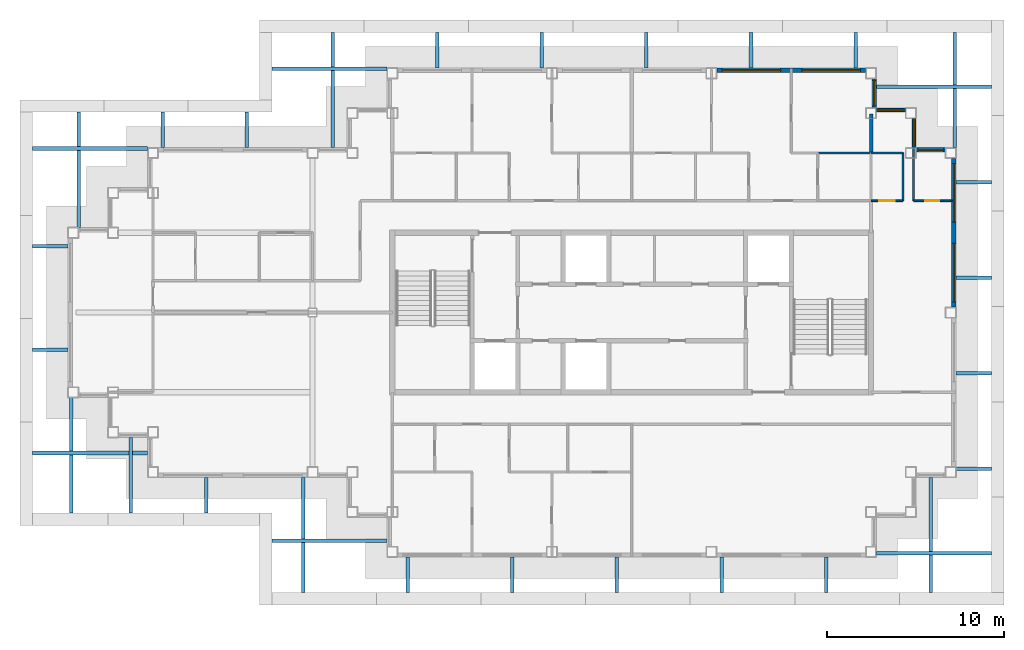
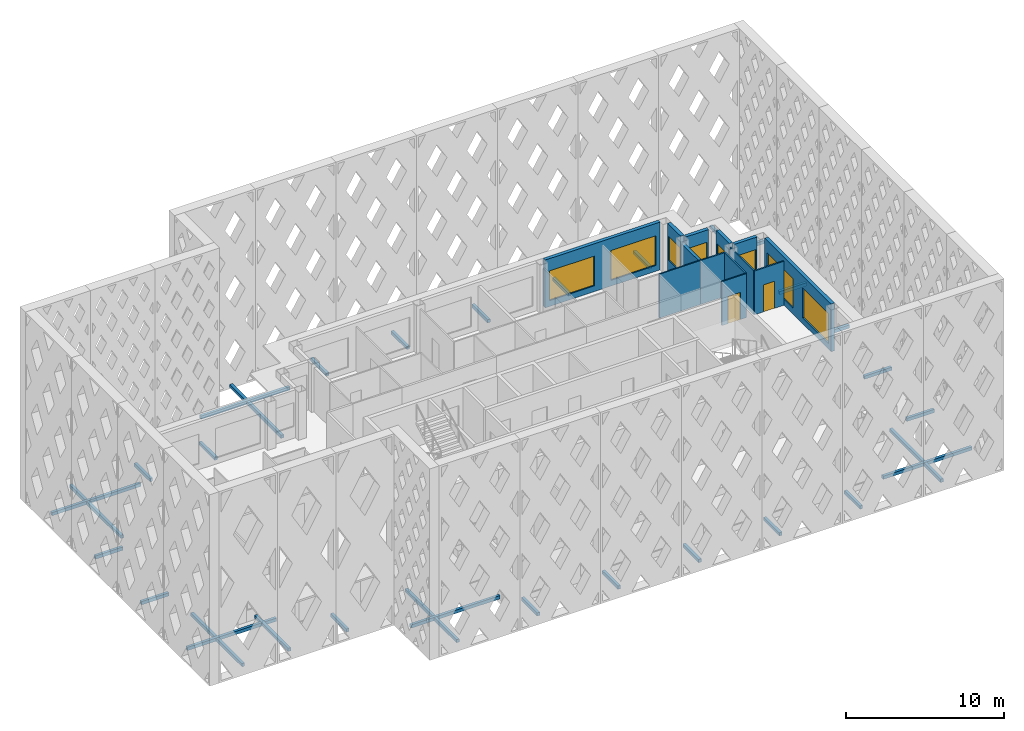
# One storey, part 6 of 15: 32 discrete accessories, 13 walls, 8 windows, 2 doors, 10 openings.
"""IFC4 building model written with IfcOpenShell, lengths in metres."""

from ifc_helpers import new_model, si_unit, direction, frame, frame_2d, origin, origin_2d, place, context, subcontext, project, spatial, rectangle, extrude, material, layer, layer_set, type_object, element, fill, save


model = new_model("IFC4")

# Units and contexts
model_context = context("Model", 3, precision=1e-05, world=origin(), true_north=direction((0.0, 1.0)))
body_context = subcontext(model_context, "Body", "Model", "MODEL_VIEW")
ifc_project = project(units=[si_unit("LENGTHUNIT", "METRE"), si_unit("AREAUNIT", "SQUARE_METRE"), si_unit("VOLUMEUNIT", "CUBIC_METRE"), si_unit("PLANEANGLEUNIT", "RADIAN"), si_unit("MASSUNIT", "GRAM", prefix="KILO")], contexts=[model_context])

# Site, building, storey
site_placement = place(None, origin())
site = spatial("IfcSite", under=ifc_project, at=site_placement, CompositionType="ELEMENT")
building_placement = place(site_placement, origin())
building = spatial("IfcBuilding", under=site, at=building_placement, Name="Caravel Reach Hotel and Residences", CompositionType="ELEMENT")
storey_placement = place(building_placement, frame((0.0, 0.0, 237.89990234375)))
storey = spatial("IfcBuildingStorey", under=building, at=storey_placement, Name="L60", CompositionType="ELEMENT", Elevation=237.89990234375)

# Wall, opening, door
ifc_material_1 = material(Name="Gypsum board on steel stud", Category="steel")
ifc_layer_1 = layer(ifc_material_1, 0.10009765625)
ifc_layer_set_1 = layer_set([ifc_layer_1], Name="Bathroom pod wall 100 mm")
wall_type_1 = type_object("IfcWallType", Name="Bathroom pod wall 100 mm", PredefinedType="PARTITIONING", material=ifc_layer_set_1)
wall_1_placement = place(storey_placement, frame((47.39990234375, 33.300048828125, 0.0), z_axis=(0.0, 0.0, 1.0), x_axis=(1.0, 0.0, 0.0)))
wall_1 = element("IfcWall", 1, at=wall_1_placement, inside=storey, type_object=wall_type_1, Name="L60 wall w061", PredefinedType="PARTITIONING", context=body_context, shape_type="SweptSolid", body=[
    extrude(rectangle(XDim=2.150146484375, YDim=0.10009765625, at=frame_2d((1.0751953125, 0.0))), origin(), (0.0, 0.0, 1.0), 3.400146484375),
])
opening_1_placement = place(wall_1_placement, frame((0.64990234375, 0.0, 0.0)))
opening_1 = element("IfcOpeningElement", 2, at=opening_1_placement, cuts=wall_1, Name="Opening D60-041", PredefinedType="OPENING", context=body_context, shape_type="SweptSolid", body=[
    extrude(rectangle(XDim=0.800048828125, YDim=2.10009765625, at=frame_2d((0.39990234375, 1.050048828125))), frame((0.0, 0.06005859375, 0.0), z_axis=(0.0, -1.0, 0.0), x_axis=(1.0, 0.0, 0.0)), (0.0, 0.0, 1.0), 0.1201171875),
])
ifc_material_2 = material(Name="Timber and steel door leaf", Category="steel")
door_type_1 = type_object("IfcDoorType", Name="Bathroom door 800 x 2100", OperationType="SINGLE_SWING_LEFT", PredefinedType="DOOR", material=ifc_material_2)
door_1_placement = place(opening_1_placement, origin())
door_1 = element("IfcDoor", 3, at=door_1_placement, inside=storey, type_object=door_type_1, Name="door D60-041", OperationType="SINGLE_SWING_LEFT", OverallHeight=2.10009765625, OverallWidth=0.800048828125, PredefinedType="DOOR", context=body_context, shape_type="SweptSolid", body=[
    extrude(rectangle(XDim=0.800048828125, YDim=2.10009765625, at=frame_2d((0.39990234375, 1.050048828125))), frame((0.0, 0.02490234375, 0.0), z_axis=(0.0, -1.0, 0.0), x_axis=(1.0, 0.0, 0.0)), (0.0, 0.0, 1.0), 0.050048828125),
])
fill(opening_1, door_1)

# Walls
for number, where, z_axis, x_axis, name in (
    (4, (42.0, 36.0, 0.0), (0.0, 0.0, 1.0), (1.0, 0.0, 0.0), "L60 wall w064"),
    (5, (47.39990234375, 33.300048828125, 0.0), (0.0, 0.0, 1.0), (0.0, 1.0, 0.0), "L60 wall w078"),
):
    element("IfcWall", number, at=place(storey_placement, frame(where, z_axis=z_axis, x_axis=x_axis)), inside=storey, type_object=wall_type_1, Name=name, PredefinedType="PARTITIONING", context=body_context, shape_type="SweptSolid", body=[
        extrude(rectangle(XDim=3.0, YDim=0.10009765625, at=frame_2d((1.5, 0.0))), origin(), (0.0, 0.0, 1.0), 3.400146484375),
    ])

# Wall, openings, windows
ifc_material_3 = material(Name="Insulated rainscreen wall, aluminium cladding", Category="aluminium")
ifc_layer_2 = layer(ifc_material_3, 0.25)
ifc_layer_set_2 = layer_set([ifc_layer_2], Name="EW1 Tower rainscreen wall")
wall_type_2 = type_object("IfcWallType", Name="EW1 Tower rainscreen wall", PredefinedType="SOLIDWALL", material=ifc_layer_set_2)
wall_2_placement = place(storey_placement, frame((49.675048828125, 27.300048828125, 0.0), z_axis=(0.0, 0.0, 1.0), x_axis=(0.0, 1.0, 0.0)))
wall_2 = element("IfcWall", 6, at=wall_2_placement, inside=storey, type_object=wall_type_2, Name="External wall L60 E9.2", PredefinedType="SOLIDWALL", context=body_context, shape_type="SweptSolid", body=[
    extrude(rectangle(XDim=8.39990234375, YDim=0.25, at=frame_2d((4.199951171875, 0.0))), origin(), (0.0, 0.0, 1.0), 3.7001953125),
])
opening_2_placement = place(wall_2_placement, frame((0.300048828125, 0.0, 0.449951171875)))
opening_2 = element("IfcOpeningElement", 7, at=opening_2_placement, cuts=wall_2, Name="Opening WN15", PredefinedType="OPENING", context=body_context, shape_type="SweptSolid", body=[
    extrude(rectangle(XDim=3.300048828125, YDim=2.300048828125, at=frame_2d((1.64990234375, 1.14990234375))), frame((0.0, 0.135009765625, 0.0), z_axis=(0.0, -1.0, 0.0), x_axis=(1.0, 0.0, 0.0)), (0.0, 0.0, 1.0), 0.27001953125),
])
opening_3_placement = place(wall_2_placement, frame((4.800048828125, 0.0, 0.449951171875)))
opening_3 = element("IfcOpeningElement", 8, at=opening_3_placement, cuts=wall_2, Name="Opening WN15", PredefinedType="OPENING", context=body_context, shape_type="SweptSolid", body=[
    extrude(rectangle(XDim=3.300048828125, YDim=2.300048828125, at=frame_2d((1.64990234375, 1.14990234375))), frame((0.0, 0.135009765625, 0.0), z_axis=(0.0, -1.0, 0.0), x_axis=(1.0, 0.0, 0.0)), (0.0, 0.0, 1.0), 0.27001953125),
])
ifc_material_4 = material(Name="Dark low-e glazing in black aluminium frame", Category="aluminium")
window_type_1 = type_object("IfcWindowType", Name="Residence living window 3300 x 2300", PartitioningType="SINGLE_PANEL", PredefinedType="WINDOW", material=ifc_material_4)
window_1_placement = place(opening_2_placement, origin())
window_1 = element("IfcWindow", 9, at=window_1_placement, inside=storey, type_object=window_type_1, Name="Window L60 E9.2.1", OverallHeight=2.300048828125, OverallWidth=3.300048828125, PartitioningType="SINGLE_PANEL", PredefinedType="WINDOW", context=body_context, shape_type="SweptSolid", body=[
    extrude(rectangle(XDim=3.300048828125, YDim=2.300048828125, at=frame_2d((1.64990234375, 1.14990234375))), frame((0.0, 0.030029296875, 0.0), z_axis=(0.0, -1.0, 0.0), x_axis=(1.0, 0.0, 0.0)), (0.0, 0.0, 1.0), 0.06005859375),
])
fill(opening_2, window_1)
window_2_placement = place(opening_3_placement, origin())
window_2 = element("IfcWindow", 10, at=window_2_placement, inside=storey, type_object=window_type_1, Name="Window L60 E9.2.2", OverallHeight=2.300048828125, OverallWidth=3.300048828125, PartitioningType="SINGLE_PANEL", PredefinedType="WINDOW", context=body_context, shape_type="SweptSolid", body=[
    extrude(rectangle(XDim=3.300048828125, YDim=2.300048828125, at=frame_2d((1.64990234375, 1.14990234375))), frame((0.0, 0.030029296875, 0.0), z_axis=(0.0, -1.0, 0.0), x_axis=(1.0, 0.0, 0.0)), (0.0, 0.0, 1.0), 0.06005859375),
])
fill(opening_3, window_2)

# Wall, opening, window
wall_3_placement = place(storey_placement, frame((49.199951171875, 36.175048828125, 0.0), z_axis=(0.0, 0.0, 1.0), x_axis=(-1.0, 0.0, 0.0)))
wall_3 = element("IfcWall", 11, at=wall_3_placement, inside=storey, type_object=wall_type_2, Name="External wall L60 N10.1", PredefinedType="SOLIDWALL", context=body_context, shape_type="SweptSolid", body=[
    extrude(rectangle(XDim=1.64990234375, YDim=0.25, at=frame_2d((0.824951171875, 0.0))), origin(), (0.0, 0.0, 1.0), 3.7001953125),
])
opening_4_placement = place(wall_3_placement, frame((0.10009765625, 0.0, 0.89990234375)))
opening_4 = element("IfcOpeningElement", 12, at=opening_4_placement, cuts=wall_3, Name="Opening WN25", PredefinedType="OPENING", context=body_context, shape_type="SweptSolid", body=[
    extrude(rectangle(XDim=1.449951171875, YDim=1.85009765625, at=frame_2d((0.72509765625, 0.925048828125))), frame((0.0, 0.135009765625, 0.0), z_axis=(0.0, -1.0, 0.0), x_axis=(1.0, 0.0, 0.0)), (0.0, 0.0, 1.0), 0.27001953125),
])
ifc_material_5 = material(Name="Dark low-e glazing in black aluminium frame", Category="aluminium")
window_type_2 = type_object("IfcWindowType", Name="Residence bedroom window 1450 x 1850", PartitioningType="SINGLE_PANEL", PredefinedType="WINDOW", material=ifc_material_5)
window_3_placement = place(opening_4_placement, origin())
window_3 = element("IfcWindow", 13, at=window_3_placement, inside=storey, type_object=window_type_2, Name="Window L60 N10.1.1", OverallHeight=1.85009765625, OverallWidth=1.449951171875, PartitioningType="SINGLE_PANEL", PredefinedType="WINDOW", context=body_context, shape_type="SweptSolid", body=[
    extrude(rectangle(XDim=1.449951171875, YDim=1.85009765625, at=frame_2d((0.72509765625, 0.925048828125))), frame((0.0, 0.030029296875, 0.0), z_axis=(0.0, -1.0, 0.0), x_axis=(1.0, 0.0, 0.0)), (0.0, 0.0, 1.0), 0.06005859375),
])
fill(opening_4, window_3)

wall_4_placement = place(storey_placement, frame((47.425048828125, 36.300048828125, 0.0), z_axis=(0.0, 0.0, 1.0), x_axis=(0.0, 1.0, 0.0)))
wall_4 = element("IfcWall", 14, at=wall_4_placement, inside=storey, type_object=wall_type_2, Name="External wall L60 E11.1", PredefinedType="SOLIDWALL", context=body_context, shape_type="SweptSolid", body=[
    extrude(rectangle(XDim=1.64990234375, YDim=0.25, at=frame_2d((0.824951171875, 0.0))), origin(), (0.0, 0.0, 1.0), 3.7001953125),
])
opening_5_placement = place(wall_4_placement, frame((0.10009765625, 0.0, 0.89990234375)))
opening_5 = element("IfcOpeningElement", 15, at=opening_5_placement, cuts=wall_4, Name="Opening WN25", PredefinedType="OPENING", context=body_context, shape_type="SweptSolid", body=[
    extrude(rectangle(XDim=1.449951171875, YDim=1.85009765625, at=frame_2d((0.72509765625, 0.925048828125))), frame((0.0, 0.135009765625, 0.0), z_axis=(0.0, -1.0, 0.0), x_axis=(1.0, 0.0, 0.0)), (0.0, 0.0, 1.0), 0.27001953125),
])
window_4_placement = place(opening_5_placement, origin())
window_4 = element("IfcWindow", 16, at=window_4_placement, inside=storey, type_object=window_type_2, Name="Window L60 E11.1.1", OverallHeight=1.85009765625, OverallWidth=1.449951171875, PartitioningType="SINGLE_PANEL", PredefinedType="WINDOW", context=body_context, shape_type="SweptSolid", body=[
    extrude(rectangle(XDim=1.449951171875, YDim=1.85009765625, at=frame_2d((0.72509765625, 0.925048828125))), frame((0.0, 0.030029296875, 0.0), z_axis=(0.0, -1.0, 0.0), x_axis=(1.0, 0.0, 0.0)), (0.0, 0.0, 1.0), 0.06005859375),
])
fill(opening_5, window_4)

wall_5_placement = place(storey_placement, frame((46.949951171875, 38.425048828125, 0.0), z_axis=(0.0, 0.0, 1.0), x_axis=(-1.0, 0.0, 0.0)))
wall_5 = element("IfcWall", 17, at=wall_5_placement, inside=storey, type_object=wall_type_2, Name="External wall L60 N12.1", PredefinedType="SOLIDWALL", context=body_context, shape_type="SweptSolid", body=[
    extrude(rectangle(XDim=1.64990234375, YDim=0.25, at=frame_2d((0.824951171875, 0.0))), origin(), (0.0, 0.0, 1.0), 3.7001953125),
])
opening_6_placement = place(wall_5_placement, frame((0.10009765625, 0.0, 0.89990234375)))
opening_6 = element("IfcOpeningElement", 18, at=opening_6_placement, cuts=wall_5, Name="Opening WN25", PredefinedType="OPENING", context=body_context, shape_type="SweptSolid", body=[
    extrude(rectangle(XDim=1.449951171875, YDim=1.85009765625, at=frame_2d((0.72509765625, 0.925048828125))), frame((0.0, 0.135009765625, 0.0), z_axis=(0.0, -1.0, 0.0), x_axis=(1.0, 0.0, 0.0)), (0.0, 0.0, 1.0), 0.27001953125),
])
window_5_placement = place(opening_6_placement, origin())
window_5 = element("IfcWindow", 19, at=window_5_placement, inside=storey, type_object=window_type_2, Name="Window L60 N12.1.1", OverallHeight=1.85009765625, OverallWidth=1.449951171875, PartitioningType="SINGLE_PANEL", PredefinedType="WINDOW", context=body_context, shape_type="SweptSolid", body=[
    extrude(rectangle(XDim=1.449951171875, YDim=1.85009765625, at=frame_2d((0.72509765625, 0.925048828125))), frame((0.0, 0.030029296875, 0.0), z_axis=(0.0, -1.0, 0.0), x_axis=(1.0, 0.0, 0.0)), (0.0, 0.0, 1.0), 0.06005859375),
])
fill(opening_6, window_5)

wall_6_placement = place(storey_placement, frame((45.175048828125, 38.550048828125, 0.0), z_axis=(0.0, 0.0, 1.0), x_axis=(0.0, 1.0, 0.0)))
wall_6 = element("IfcWall", 20, at=wall_6_placement, inside=storey, type_object=wall_type_2, Name="External wall L60 E13.1", PredefinedType="SOLIDWALL", context=body_context, shape_type="SweptSolid", body=[
    extrude(rectangle(XDim=1.64990234375, YDim=0.25, at=frame_2d((0.824951171875, 0.0))), origin(), (0.0, 0.0, 1.0), 3.7001953125),
])
opening_7_placement = place(wall_6_placement, frame((0.10009765625, 0.0, 0.89990234375)))
opening_7 = element("IfcOpeningElement", 21, at=opening_7_placement, cuts=wall_6, Name="Opening WN25", PredefinedType="OPENING", context=body_context, shape_type="SweptSolid", body=[
    extrude(rectangle(XDim=1.449951171875, YDim=1.85009765625, at=frame_2d((0.72509765625, 0.925048828125))), frame((0.0, 0.135009765625, 0.0), z_axis=(0.0, -1.0, 0.0), x_axis=(1.0, 0.0, 0.0)), (0.0, 0.0, 1.0), 0.27001953125),
])
window_6_placement = place(opening_7_placement, origin())
window_6 = element("IfcWindow", 22, at=window_6_placement, inside=storey, type_object=window_type_2, Name="Window L60 E13.1.1", OverallHeight=1.85009765625, OverallWidth=1.449951171875, PartitioningType="SINGLE_PANEL", PredefinedType="WINDOW", context=body_context, shape_type="SweptSolid", body=[
    extrude(rectangle(XDim=1.449951171875, YDim=1.85009765625, at=frame_2d((0.72509765625, 0.925048828125))), frame((0.0, 0.030029296875, 0.0), z_axis=(0.0, -1.0, 0.0), x_axis=(1.0, 0.0, 0.0)), (0.0, 0.0, 1.0), 0.06005859375),
])
fill(opening_7, window_6)

# Wall, openings, windows
wall_7_placement = place(storey_placement, frame((44.699951171875, 40.675048828125, 0.0), z_axis=(0.0, 0.0, 1.0), x_axis=(-1.0, 0.0, 0.0)))
wall_7 = element("IfcWall", 23, at=wall_7_placement, inside=storey, type_object=wall_type_2, Name="External wall L60 N14.1", PredefinedType="SOLIDWALL", context=body_context, shape_type="SweptSolid", body=[
    extrude(rectangle(XDim=8.39990234375, YDim=0.25, at=frame_2d((4.199951171875, 0.0))), origin(), (0.0, 0.0, 1.0), 3.7001953125),
])
opening_8_placement = place(wall_7_placement, frame((0.300048828125, 0.0, 0.449951171875)))
opening_8 = element("IfcOpeningElement", 24, at=opening_8_placement, cuts=wall_7, Name="Opening WN15", PredefinedType="OPENING", context=body_context, shape_type="SweptSolid", body=[
    extrude(rectangle(XDim=3.300048828125, YDim=2.300048828125, at=frame_2d((1.64990234375, 1.14990234375))), frame((0.0, 0.135009765625, 0.0), z_axis=(0.0, -1.0, 0.0), x_axis=(1.0, 0.0, 0.0)), (0.0, 0.0, 1.0), 0.27001953125),
])
opening_9_placement = place(wall_7_placement, frame((4.800048828125, 0.0, 0.449951171875)))
opening_9 = element("IfcOpeningElement", 25, at=opening_9_placement, cuts=wall_7, Name="Opening WN15", PredefinedType="OPENING", context=body_context, shape_type="SweptSolid", body=[
    extrude(rectangle(XDim=3.300048828125, YDim=2.300048828125, at=frame_2d((1.64990234375, 1.14990234375))), frame((0.0, 0.135009765625, 0.0), z_axis=(0.0, -1.0, 0.0), x_axis=(1.0, 0.0, 0.0)), (0.0, 0.0, 1.0), 0.27001953125),
])
window_7_placement = place(opening_8_placement, origin())
window_7 = element("IfcWindow", 26, at=window_7_placement, inside=storey, type_object=window_type_1, Name="Window L60 N14.1.1", OverallHeight=2.300048828125, OverallWidth=3.300048828125, PartitioningType="SINGLE_PANEL", PredefinedType="WINDOW", context=body_context, shape_type="SweptSolid", body=[
    extrude(rectangle(XDim=3.300048828125, YDim=2.300048828125, at=frame_2d((1.64990234375, 1.14990234375))), frame((0.0, 0.030029296875, 0.0), z_axis=(0.0, -1.0, 0.0), x_axis=(1.0, 0.0, 0.0)), (0.0, 0.0, 1.0), 0.06005859375),
])
fill(opening_8, window_7)
window_8_placement = place(opening_9_placement, origin())
window_8 = element("IfcWindow", 27, at=window_8_placement, inside=storey, type_object=window_type_1, Name="Window L60 N14.1.2", OverallHeight=2.300048828125, OverallWidth=3.300048828125, PartitioningType="SINGLE_PANEL", PredefinedType="WINDOW", context=body_context, shape_type="SweptSolid", body=[
    extrude(rectangle(XDim=3.300048828125, YDim=2.300048828125, at=frame_2d((1.64990234375, 1.14990234375))), frame((0.0, 0.030029296875, 0.0), z_axis=(0.0, -1.0, 0.0), x_axis=(1.0, 0.0, 0.0)), (0.0, 0.0, 1.0), 0.06005859375),
])
fill(opening_9, window_8)

# Wall, opening, door
ifc_material_6 = material(Name="Gypsum board on steel stud", Category="steel")
ifc_layer_3 = layer(ifc_material_6, 0.10009765625)
ifc_layer_set_3 = layer_set([ifc_layer_3], Name="Partition 100 mm")
wall_type_3 = type_object("IfcWallType", Name="Partition 100 mm", PredefinedType="PARTITIONING", material=ifc_layer_set_3)
wall_8_placement = place(storey_placement, frame((45.0, 33.300048828125, 0.0), z_axis=(0.0, 0.0, 1.0), x_axis=(1.0, 0.0, 0.0)))
wall_8 = element("IfcWall", 28, at=wall_8_placement, inside=storey, type_object=wall_type_3, Name="L60 wall w024", PredefinedType="PARTITIONING", context=body_context, shape_type="SweptSolid", body=[
    extrude(rectangle(XDim=1.800048828125, YDim=0.10009765625, at=frame_2d((0.89990234375, 0.0))), origin(), (0.0, 0.0, 1.0), 3.400146484375),
])
opening_10_placement = place(wall_8_placement, frame((0.449951171875, 0.0, 0.0)))
opening_10 = element("IfcOpeningElement", 29, at=opening_10_placement, cuts=wall_8, Name="Opening D60-042", PredefinedType="OPENING", context=body_context, shape_type="SweptSolid", body=[
    extrude(rectangle(XDim=0.89990234375, YDim=2.10009765625, at=frame_2d((0.449951171875, 1.050048828125))), frame((0.0, 0.06005859375, 0.0), z_axis=(0.0, -1.0, 0.0), x_axis=(1.0, 0.0, 0.0)), (0.0, 0.0, 1.0), 0.1201171875),
])
ifc_material_7 = material(Name="Timber and steel door leaf", Category="steel")
door_type_2 = type_object("IfcDoorType", Name="Door 900 x 2100 timber", OperationType="SINGLE_SWING_LEFT", PredefinedType="DOOR", material=ifc_material_7)
door_2_placement = place(opening_10_placement, origin())
door_2 = element("IfcDoor", 30, at=door_2_placement, inside=storey, type_object=door_type_2, Name="door D60-042", OperationType="SINGLE_SWING_RIGHT", OverallHeight=2.10009765625, OverallWidth=0.89990234375, PredefinedType="DOOR", context=body_context, shape_type="SweptSolid", body=[
    extrude(rectangle(XDim=0.89990234375, YDim=2.10009765625, at=frame_2d((0.449951171875, 1.050048828125))), frame((0.0, 0.02490234375, 0.0), z_axis=(0.0, -1.0, 0.0), x_axis=(1.0, 0.0, 0.0)), (0.0, 0.0, 1.0), 0.050048828125),
])
fill(opening_10, door_2)

# Walls
wall_9_placement = place(storey_placement, frame((45.0, 36.0, 0.0), z_axis=(0.0, 0.0, 1.0), x_axis=(1.0, 0.0, 0.0)))
element("IfcWall", 31, at=wall_9_placement, inside=storey, type_object=wall_type_3, Name="L60 wall w031", PredefinedType="PARTITIONING", context=body_context, shape_type="SweptSolid", body=[
    extrude(rectangle(XDim=1.800048828125, YDim=0.10009765625, at=frame_2d((0.89990234375, 0.0))), origin(), (0.0, 0.0, 1.0), 3.400146484375),
])
wall_10_placement = place(storey_placement, frame((46.800048828125, 33.300048828125, 0.0), z_axis=(0.0, 0.0, 1.0), x_axis=(0.0, 1.0, 0.0)))
element("IfcWall", 32, at=wall_10_placement, inside=storey, type_object=wall_type_3, Name="L60 wall w047", PredefinedType="PARTITIONING", context=body_context, shape_type="SweptSolid", body=[
    extrude(rectangle(XDim=2.699951171875, YDim=0.10009765625, at=frame_2d((1.35009765625, 0.0))), origin(), (0.0, 0.0, 1.0), 3.400146484375),
])
ifc_material_8 = material(Name="Autoclaved aerated block wall")
ifc_layer_4 = layer(ifc_material_8, 0.199951171875)
ifc_layer_set_4 = layer_set([ifc_layer_4], Name="Party wall 200 mm EI 60")
wall_type_4 = type_object("IfcWallType", Name="Party wall 200 mm EI 60", PredefinedType="PARTITIONING", material=ifc_layer_set_4)
wall_11_placement = place(storey_placement, frame((45.0, 36.0, 0.0), z_axis=(0.0, 0.0, 1.0), x_axis=(0.0, 1.0, 0.0)))
element("IfcWall", 33, at=wall_11_placement, inside=storey, type_object=wall_type_4, Name="L60 wall w050", PredefinedType="PARTITIONING", context=body_context, shape_type="SweptSolid", body=[
    extrude(rectangle(XDim=2.199951171875, YDim=0.199951171875, at=frame_2d((1.10009765625, 0.0))), origin(), (0.0, 0.0, 1.0), 3.400146484375),
])

# Discrete accessories
ifc_material_9 = material(Name="Black powder-coated aluminium", Category="aluminium")
discrete_accessory_type = type_object("IfcDiscreteAccessoryType", Name="BR1 Screen bracket", PredefinedType="BRACKET", material=ifc_material_9)
discrete_accessory_1_placement = place(storey_placement, frame((-0.1201171875, 18.949951171875, 0.10009765625), z_axis=(0.0, 0.0, 1.0), x_axis=(0.0, -1.0, 0.0)))
element("IfcDiscreteAccessory", 34, at=discrete_accessory_1_placement, inside=storey, type_object=discrete_accessory_type, Name="Screen bracket L60 1.1.1", PredefinedType="BRACKET", context=body_context, shape_type="SweptSolid", body=[
    extrude(rectangle(XDim=6.5, YDim=0.199951171875, at=origin_2d()), origin(), (0.0, 0.0, 1.0), 0.25),
])
discrete_accessory_2_placement = place(storey_placement, frame((3.24658203125, 17.824951171875, 0.10009765625), z_axis=(0.0, 0.0, 1.0), x_axis=(0.0, -1.0, 0.0)))
element("IfcDiscreteAccessory", 35, at=discrete_accessory_2_placement, inside=storey, type_object=discrete_accessory_type, Name="Screen bracket L60 1.2.1", PredefinedType="BRACKET", context=body_context, shape_type="SweptSolid", body=[
    extrude(rectangle(XDim=4.25, YDim=0.199951171875, at=origin_2d()), origin(), (0.0, 0.0, 1.0), 0.25),
])
discrete_accessory_3_placement = place(storey_placement, frame((7.513427734375, 16.699951171875, 0.10009765625), z_axis=(0.0, 0.0, 1.0), x_axis=(0.0, -1.0, 0.0)))
element("IfcDiscreteAccessory", 36, at=discrete_accessory_3_placement, inside=storey, type_object=discrete_accessory_type, Name="Screen bracket L60 1.3.1", PredefinedType="BRACKET", context=body_context, shape_type="SweptSolid", body=[
    extrude(rectangle(XDim=2.0, YDim=0.199951171875, at=origin_2d()), origin(), (0.0, 0.0, 1.0), 0.25),
])
for number, where, z_axis, x_axis, name in (
    (37, (14.449951171875, 14.139892578125, 0.10009765625), (0.0, 0.0, 1.0), (-1.0, 0.0, 0.0), "Screen bracket L60 2.1.1"),
    (38, (12.969970703125, 14.449951171875, 0.10009765625), (0.0, 0.0, 1.0), (0.0, -1.0, 0.0), "Screen bracket L60 3.1.1"),
):
    element("IfcDiscreteAccessory", number, at=place(storey_placement, frame(where, z_axis=z_axis, x_axis=x_axis)), inside=storey, type_object=discrete_accessory_type, Name=name, PredefinedType="BRACKET", context=body_context, shape_type="SweptSolid", body=[
        extrude(rectangle(XDim=6.5, YDim=0.199951171875, at=origin_2d()), origin(), (0.0, 0.0, 1.0), 0.25),
    ])
for number, where, z_axis, x_axis, name in (
    (39, (18.8701171875, 12.199951171875, 0.10009765625), (0.0, 0.0, 1.0), (0.0, -1.0, 0.0), "Screen bracket L60 3.2.1"),
    (40, (24.77001953125, 12.199951171875, 0.10009765625), (0.0, 0.0, 1.0), (0.0, -1.0, 0.0), "Screen bracket L60 3.3.1"),
    (41, (30.669921875, 12.199951171875, 0.10009765625), (0.0, 0.0, 1.0), (0.0, -1.0, 0.0), "Screen bracket L60 3.4.1"),
    (42, (36.570068359375, 12.199951171875, 0.10009765625), (0.0, 0.0, 1.0), (0.0, -1.0, 0.0), "Screen bracket L60 3.5.1"),
    (43, (42.469970703125, 12.199951171875, 0.10009765625), (0.0, 0.0, 1.0), (0.0, -1.0, 0.0), "Screen bracket L60 3.6.1"),
):
    element("IfcDiscreteAccessory", number, at=place(storey_placement, frame(where, z_axis=z_axis, x_axis=x_axis)), inside=storey, type_object=discrete_accessory_type, Name=name, PredefinedType="BRACKET", context=body_context, shape_type="SweptSolid", body=[
        extrude(rectangle(XDim=2.0, YDim=0.199951171875, at=origin_2d()), origin(), (0.0, 0.0, 1.0), 0.25),
    ])
for number, where, z_axis, x_axis, name in (
    (44, (48.3701171875, 14.449951171875, 0.10009765625), (0.0, 0.0, 1.0), (0.0, -1.0, 0.0), "Screen bracket L60 3.7.1"),
    (45, (48.550048828125, 13.4150390625, 0.10009765625), (0.0, 0.0, 1.0), (1.0, 0.0, 0.0), "Screen bracket L60 4.1.1"),
):
    element("IfcDiscreteAccessory", number, at=place(storey_placement, frame(where, z_axis=z_axis, x_axis=x_axis)), inside=storey, type_object=discrete_accessory_type, Name=name, PredefinedType="BRACKET", context=body_context, shape_type="SweptSolid", body=[
        extrude(rectangle(XDim=6.5, YDim=0.199951171875, at=origin_2d()), origin(), (0.0, 0.0, 1.0), 0.25),
    ])
for number, where, z_axis, x_axis, name in (
    (46, (50.800048828125, 18.1982421875, 0.10009765625), (0.0, 0.0, 1.0), (1.0, 0.0, 0.0), "Screen bracket L60 4.2.1"),
    (47, (50.800048828125, 23.581787109375, 0.10009765625), (0.0, 0.0, 1.0), (1.0, 0.0, 0.0), "Screen bracket L60 4.3.1"),
    (48, (50.800048828125, 28.965087890625, 0.10009765625), (0.0, 0.0, 1.0), (1.0, 0.0, 0.0), "Screen bracket L60 4.4.1"),
    (49, (50.800048828125, 34.348388671875, 0.10009765625), (0.0, 0.0, 1.0), (1.0, 0.0, 0.0), "Screen bracket L60 4.5.1"),
):
    element("IfcDiscreteAccessory", number, at=place(storey_placement, frame(where, z_axis=z_axis, x_axis=x_axis)), inside=storey, type_object=discrete_accessory_type, Name=name, PredefinedType="BRACKET", context=body_context, shape_type="SweptSolid", body=[
        extrude(rectangle(XDim=2.0, YDim=0.199951171875, at=origin_2d()), origin(), (0.0, 0.0, 1.0), 0.25),
    ])
for number, where, z_axis, x_axis, name in (
    (50, (48.550048828125, 39.731689453125, 0.10009765625), (0.0, 0.0, 1.0), (1.0, 0.0, 0.0), "Screen bracket L60 4.6.1"),
    (51, (49.72998046875, 39.550048828125, 0.10009765625), (0.0, 0.0, 1.0), (0.0, 1.0, 0.0), "Screen bracket L60 5.1.1"),
):
    element("IfcDiscreteAccessory", number, at=place(storey_placement, frame(where, z_axis=z_axis, x_axis=x_axis)), inside=storey, type_object=discrete_accessory_type, Name=name, PredefinedType="BRACKET", context=body_context, shape_type="SweptSolid", body=[
        extrude(rectangle(XDim=6.5, YDim=0.199951171875, at=origin_2d()), origin(), (0.0, 0.0, 1.0), 0.25),
    ])
for number, where, z_axis, x_axis, name in (
    (52, (44.1298828125, 41.800048828125, 0.10009765625), (0.0, 0.0, 1.0), (0.0, 1.0, 0.0), "Screen bracket L60 5.2.1"),
    (53, (38.22998046875, 41.800048828125, 0.10009765625), (0.0, 0.0, 1.0), (0.0, 1.0, 0.0), "Screen bracket L60 5.3.1"),
    (54, (32.330078125, 41.800048828125, 0.10009765625), (0.0, 0.0, 1.0), (0.0, 1.0, 0.0), "Screen bracket L60 5.4.1"),
    (55, (26.429931640625, 41.800048828125, 0.10009765625), (0.0, 0.0, 1.0), (0.0, 1.0, 0.0), "Screen bracket L60 5.5.1"),
    (56, (20.530029296875, 41.800048828125, 0.10009765625), (0.0, 0.0, 1.0), (0.0, 1.0, 0.0), "Screen bracket L60 5.6.1"),
):
    element("IfcDiscreteAccessory", number, at=place(storey_placement, frame(where, z_axis=z_axis, x_axis=x_axis)), inside=storey, type_object=discrete_accessory_type, Name=name, PredefinedType="BRACKET", context=body_context, shape_type="SweptSolid", body=[
        extrude(rectangle(XDim=2.0, YDim=0.199951171875, at=origin_2d()), origin(), (0.0, 0.0, 1.0), 0.25),
    ])
for number, where, z_axis, x_axis, name in (
    (57, (14.6298828125, 39.550048828125, 0.10009765625), (0.0, 0.0, 1.0), (0.0, 1.0, 0.0), "Screen bracket L60 5.7.1"),
    (58, (14.449951171875, 40.760009765625, 0.10009765625), (0.0, 0.0, 1.0), (-1.0, 0.0, 0.0), "Screen bracket L60 6.1.1"),
):
    element("IfcDiscreteAccessory", number, at=place(storey_placement, frame(where, z_axis=z_axis, x_axis=x_axis)), inside=storey, type_object=discrete_accessory_type, Name=name, PredefinedType="BRACKET", context=body_context, shape_type="SweptSolid", body=[
        extrude(rectangle(XDim=6.5, YDim=0.199951171875, at=origin_2d()), origin(), (0.0, 0.0, 1.0), 0.25),
    ])
for number, where, z_axis, x_axis, name in (
    (59, (9.780029296875, 37.300048828125, 0.10009765625), (0.0, 0.0, 1.0), (0.0, 1.0, 0.0), "Screen bracket L60 7.1.1"),
    (60, (5.046630859375, 37.300048828125, 0.10009765625), (0.0, 0.0, 1.0), (0.0, 1.0, 0.0), "Screen bracket L60 7.2.1"),
):
    element("IfcDiscreteAccessory", number, at=place(storey_placement, frame(where, z_axis=z_axis, x_axis=x_axis)), inside=storey, type_object=discrete_accessory_type, Name=name, PredefinedType="BRACKET", context=body_context, shape_type="SweptSolid", body=[
        extrude(rectangle(XDim=2.0, YDim=0.199951171875, at=origin_2d()), origin(), (0.0, 0.0, 1.0), 0.25),
    ])
for number, where, z_axis, x_axis, name in (
    (61, (0.313232421875, 35.050048828125, 0.10009765625), (0.0, 0.0, 1.0), (0.0, 1.0, 0.0), "Screen bracket L60 7.3.1"),
    (62, (0.949951171875, 36.25244140625, 0.10009765625), (0.0, 0.0, 1.0), (-1.0, 0.0, 0.0), "Screen bracket L60 8.1.1"),
):
    element("IfcDiscreteAccessory", number, at=place(storey_placement, frame(where, z_axis=z_axis, x_axis=x_axis)), inside=storey, type_object=discrete_accessory_type, Name=name, PredefinedType="BRACKET", context=body_context, shape_type="SweptSolid", body=[
        extrude(rectangle(XDim=6.5, YDim=0.199951171875, at=origin_2d()), origin(), (0.0, 0.0, 1.0), 0.25),
    ])
for number, where, z_axis, x_axis, name in (
    (63, (-1.300048828125, 30.7275390625, 0.10009765625), (0.0, 0.0, 1.0), (-1.0, 0.0, 0.0), "Screen bracket L60 8.2.1"),
    (64, (-1.300048828125, 24.902587890625, 0.10009765625), (0.0, 0.0, 1.0), (-1.0, 0.0, 0.0), "Screen bracket L60 8.3.1"),
):
    element("IfcDiscreteAccessory", number, at=place(storey_placement, frame(where, z_axis=z_axis, x_axis=x_axis)), inside=storey, type_object=discrete_accessory_type, Name=name, PredefinedType="BRACKET", context=body_context, shape_type="SweptSolid", body=[
        extrude(rectangle(XDim=2.0, YDim=0.199951171875, at=origin_2d()), origin(), (0.0, 0.0, 1.0), 0.25),
    ])
discrete_accessory_4_placement = place(storey_placement, frame((0.949951171875, 19.077392578125, 0.10009765625), z_axis=(0.0, 0.0, 1.0), x_axis=(-1.0, 0.0, 0.0)))
element("IfcDiscreteAccessory", 65, at=discrete_accessory_4_placement, inside=storey, type_object=discrete_accessory_type, Name="Screen bracket L60 8.4.1", PredefinedType="BRACKET", context=body_context, shape_type="SweptSolid", body=[
    extrude(rectangle(XDim=6.5, YDim=0.199951171875, at=origin_2d()), origin(), (0.0, 0.0, 1.0), 0.25),
])

save(model, "model.ifc")
